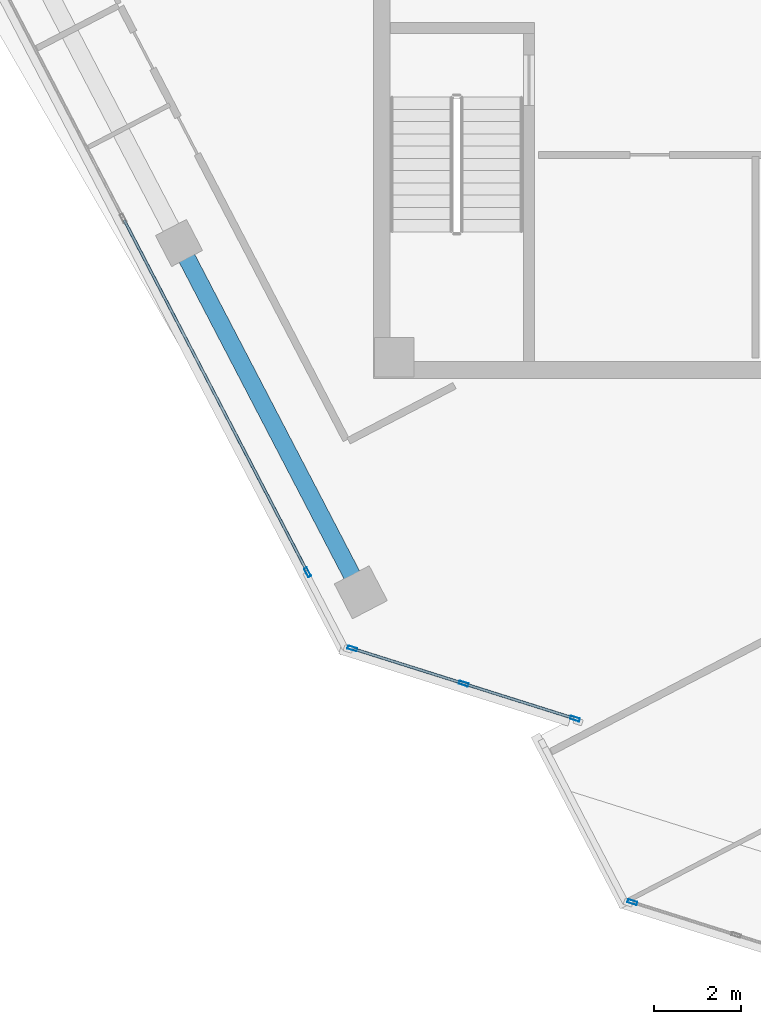
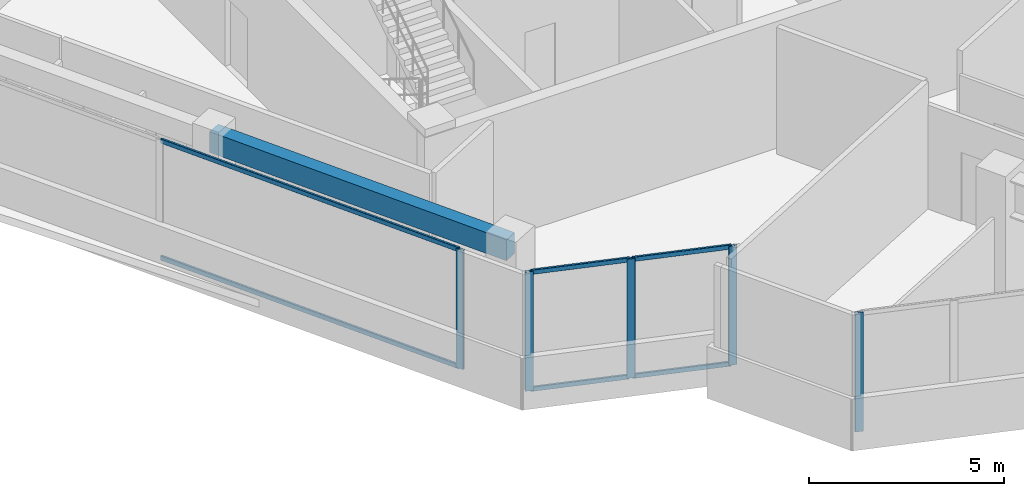
# One storey, part 2 of 16: 11 members, 1 beam, 3 elements without a shape of their own.
"""IFC4 building model written with IfcOpenShell, lengths in metres."""

from ifc_helpers import new_model, si_unit, direction, frame, origin, origin_2d, place, context, subcontext, project, spatial, rectangle, hollow_rectangle, extrude, source, transform, mapped, material, material_profile, profile_set, type_object, element, aggregate, save


model = new_model("IFC4")

# Units and contexts
model_context = context("Model", 3, precision=1e-05, world=origin(), true_north=direction((0.0, 1.0)))
body_context = subcontext(model_context, "Body", "Model", "MODEL_VIEW")
ifc_project = project(units=[si_unit("LENGTHUNIT", "METRE"), si_unit("AREAUNIT", "SQUARE_METRE"), si_unit("VOLUMEUNIT", "CUBIC_METRE"), si_unit("PLANEANGLEUNIT", "RADIAN"), si_unit("MASSUNIT", "GRAM", prefix="KILO")], contexts=[model_context])

# Site, building, storey
site_placement = place(None, origin())
site = spatial("IfcSite", under=ifc_project, at=site_placement, CompositionType="ELEMENT")
building_placement = place(site_placement, origin())
building = spatial("IfcBuilding", under=site, at=building_placement, Name="Torre Montelarca", CompositionType="ELEMENT")
storey_placement = place(building_placement, frame((0.0, 0.0, 328.199951171875)))
storey = spatial("IfcBuildingStorey", under=building, at=storey_placement, Name="L74", CompositionType="ELEMENT", Elevation=328.199951171875)

# Beam
ifc_material_1 = material(Name="Concrete C40/50", Category="concrete")
ifc_material_profile_1 = material_profile(ifc_material_1, rectangle(XDim=0.39990234375, YDim=0.64990234375, at=origin_2d()), Name="RCB400X650", Category="concrete")
ifc_profile_set_1 = profile_set([ifc_material_profile_1], Name="Concrete C40/50")
beam_type = type_object("IfcBeamType", Name="BM-SP-RC650-EXT", PredefinedType="SPANDREL", material=ifc_profile_set_1)
shared_shape_1 = source(origin(), body_context, "Body", "SweptSolid", [
    extrude(rectangle(XDim=0.39990234375, YDim=0.64990234375, at=origin_2d()), origin(), (0.0, 0.0, 1.0), 9.0),
])
beam_placement = place(storey_placement, frame((4.627197265625, 27.16259765625, 3.635009765625), z_axis=(0.461748143991, -0.887011077451, 0.0), x_axis=(0.887011077451, 0.461748143991, 0.0)))
element("IfcBeam", 1, at=beam_placement, inside=storey, type_object=beam_type, Name="L74 Grid Girder X 18.0-27.0 at Y=14.8", PredefinedType="SPANDREL", context=body_context, shape_type="MappedRepresentation", body=[
    mapped(shared_shape_1, transform((0.0, 0.0, 0.0), scale=1.0)),
])

# Curtain wall, members
ifc_material_2 = material(Name="Insulated low-E laminated glass", Category="glass")
curtain_wall_type = type_object("IfcCurtainWallType", Name="CW-SYS-Z4", PredefinedType="USERDEFINED", material=ifc_material_2)
curtain_wall_1_placement = place(storey_placement, origin())
curtain_wall_1 = element("IfcCurtainWall", 2, at=curtain_wall_1_placement, inside=storey, type_object=curtain_wall_type, Name="L74 Curtain Wall Run CW-T3-L74-E02-B1", ObjectType="UNITISED GLAZING", PredefinedType="USERDEFINED")
ifc_material_3 = material(Name="Anodised aluminium AA 6063-T6", Category="aluminium")
ifc_material_profile_2 = material_profile(ifc_material_3, hollow_rectangle(XDim=0.06494140625, YDim=0.139892578125, WallThickness=0.00390625, InnerFilletRadius=0.00390625, OuterFilletRadius=0.008056640625, at=origin_2d()), Name="ALU65X140X4", Category="aluminium")
ifc_profile_set_2 = profile_set([ifc_material_profile_2], Name="Anodised aluminium AA 6063-T6")
member_type_1 = type_object("IfcMemberType", Name="CWT-ALU140", PredefinedType="USERDEFINED", material=ifc_profile_set_2)
shared_shape_2 = source(origin(), body_context, "Body", "SweptSolid", [
    extrude(hollow_rectangle(XDim=0.06494140625, YDim=0.139892578125, WallThickness=0.00390625, InnerFilletRadius=0.00390625, OuterFilletRadius=0.008056640625, at=origin_2d()), origin(), (0.0, 0.0, 1.0), 2.59228515625),
])
member_1_placement = place(storey_placement, frame((11.170654296875, 17.080078125, 0.032470703125), z_axis=(0.953717783551, -0.300703158179, 0.0), x_axis=(0.300703158179, 0.953717783551, 0.0)))
member_1 = element("IfcMember", 3, at=member_1_placement, type_object=member_type_1, Name="CW transom 2.1", ObjectType="TRANSOM", PredefinedType="USERDEFINED", context=body_context, shape_type="MappedRepresentation", body=[
    mapped(shared_shape_2, transform((0.0, 0.0, 0.0), scale=1.0)),
])
member_2_placement = place(storey_placement, frame((11.170654296875, 17.080078125, 3.6875), z_axis=(0.953717783551, -0.300703158179, 0.0), x_axis=(0.300703158179, 0.953717783551, 0.0)))
member_2 = element("IfcMember", 4, at=member_2_placement, type_object=member_type_1, Name="CW transom 2.2", ObjectType="TRANSOM", PredefinedType="USERDEFINED", context=body_context, shape_type="MappedRepresentation", body=[
    mapped(shared_shape_2, transform((0.0, 0.0, 0.0), scale=1.0)),
])

# Curtain wall, member
curtain_wall_2_placement = place(storey_placement, origin())
curtain_wall_2 = element("IfcCurtainWall", 5, at=curtain_wall_2_placement, inside=storey, type_object=curtain_wall_type, Name="L74 Curtain Wall Run CW-T3-L74-E01-B1", ObjectType="UNITISED GLAZING", PredefinedType="USERDEFINED")
ifc_material_profile_3 = material_profile(ifc_material_3, hollow_rectangle(XDim=0.074951171875, YDim=0.219970703125, WallThickness=0.0048828125, InnerFilletRadius=0.0048828125, OuterFilletRadius=0.010009765625, at=origin_2d()), Name="ALU75X220X5", Category="aluminium")
ifc_profile_set_3 = profile_set([ifc_material_profile_3], Name="Anodised aluminium AA 6063-T6")
member_type_2 = type_object("IfcMemberType", Name="CWM-ALU220", PredefinedType="MULLION", material=ifc_profile_set_3)
shared_shape_3 = source(origin(), body_context, "Body", "SweptSolid", [
    extrude(hollow_rectangle(XDim=0.074951171875, YDim=0.219970703125, WallThickness=0.0048828125, InnerFilletRadius=0.0048828125, OuterFilletRadius=0.010009765625, at=origin_2d()), origin(), (0.0, 0.0, 1.0), 3.719970703125),
])
member_3_placement = place(storey_placement, frame((7.564697265625, 19.6357421875, 0.0), z_axis=(0.0, 0.0, 1.0), x_axis=(0.887011429119, 0.461747468442, 0.0)))
member_3 = element("IfcMember", 6, at=member_3_placement, type_object=member_type_2, Name="CW mullion 3", PredefinedType="MULLION", context=body_context, shape_type="MappedRepresentation", body=[
    mapped(shared_shape_3, transform((0.0, 0.0, 0.0), scale=1.0)),
])

# Member
member_4_placement = place(storey_placement, frame((8.5908203125, 17.893310546875, 0.0), z_axis=(0.0, 0.0, 1.0), x_axis=(0.300697870509, 0.953719450714, 0.0)))
member_4 = element("IfcMember", 7, at=member_4_placement, type_object=member_type_2, Name="CW mullion 1", PredefinedType="MULLION", context=body_context, shape_type="MappedRepresentation", body=[
    mapped(shared_shape_3, transform((0.0, 0.0, 0.0), scale=1.0)),
])

member_5_placement = place(storey_placement, frame((11.134765625, 17.09130859375, 0.0), z_axis=(0.0, 0.0, 1.0), x_axis=(0.300697870509, 0.953719450714, 0.0)))
member_5 = element("IfcMember", 8, at=member_5_placement, type_object=member_type_2, Name="CW mullion 2", PredefinedType="MULLION", context=body_context, shape_type="MappedRepresentation", body=[
    mapped(shared_shape_3, transform((0.0, 0.0, 0.0), scale=1.0)),
])

member_6_placement = place(storey_placement, frame((13.678955078125, 16.2890625, 0.0), z_axis=(0.0, 0.0, 1.0), x_axis=(0.300697870509, 0.953719450714, 0.0)))
member_6 = element("IfcMember", 9, at=member_6_placement, type_object=member_type_2, Name="CW mullion 3", PredefinedType="MULLION", context=body_context, shape_type="MappedRepresentation", body=[
    mapped(shared_shape_3, transform((0.0, 0.0, 0.0), scale=1.0)),
])

# Curtain wall, member
curtain_wall_3_placement = place(storey_placement, origin())
curtain_wall_3 = element("IfcCurtainWall", 10, at=curtain_wall_3_placement, inside=storey, type_object=curtain_wall_type, Name="L74 Curtain Wall Run CW-T3-L74-E05-B1", ObjectType="UNITISED GLAZING", PredefinedType="USERDEFINED")
member_7_placement = place(storey_placement, frame((14.991943359375, 12.093994140625, 0.0), z_axis=(0.0, 0.0, 1.0), x_axis=(0.300692834013, 0.953721038655, 0.0)))
member_7 = element("IfcMember", 11, at=member_7_placement, type_object=member_type_2, Name="CW mullion 1", PredefinedType="MULLION", context=body_context, shape_type="MappedRepresentation", body=[
    mapped(shared_shape_3, transform((0.0, 0.0, 0.0), scale=1.0)),
])
aggregate(curtain_wall_3, [member_7])

# Member
shared_shape_4 = source(origin(), body_context, "Body", "SweptSolid", [
    extrude(hollow_rectangle(XDim=0.06494140625, YDim=0.139892578125, WallThickness=0.00390625, InnerFilletRadius=0.00390625, OuterFilletRadius=0.008056640625, at=origin_2d()), origin(), (0.0, 0.0, 1.0), 2.592529296875),
])
member_8_placement = place(storey_placement, frame((8.62646484375, 17.882080078125, 0.032470703125), z_axis=(0.953726298, -0.300676152203, 0.0), x_axis=(0.300676152203, 0.953726298, 0.0)))
member_8 = element("IfcMember", 12, at=member_8_placement, type_object=member_type_1, Name="CW transom 1.1", ObjectType="TRANSOM", PredefinedType="USERDEFINED", context=body_context, shape_type="MappedRepresentation", body=[
    mapped(shared_shape_4, transform((0.0, 0.0, 0.0), scale=1.0)),
])

member_9_placement = place(storey_placement, frame((8.62646484375, 17.882080078125, 3.6875), z_axis=(0.953726298, -0.300676152203, 0.0), x_axis=(0.300676152203, 0.953726298, 0.0)))
member_9 = element("IfcMember", 13, at=member_9_placement, type_object=member_type_1, Name="CW transom 1.2", ObjectType="TRANSOM", PredefinedType="USERDEFINED", context=body_context, shape_type="MappedRepresentation", body=[
    mapped(shared_shape_4, transform((0.0, 0.0, 0.0), scale=1.0)),
])

aggregate(curtain_wall_1, [member_4, member_5, member_6, member_8, member_9, member_1, member_2])

shared_shape_5 = source(origin(), body_context, "Body", "SweptSolid", [
    extrude(hollow_rectangle(XDim=0.06494140625, YDim=0.139892578125, WallThickness=0.00390625, InnerFilletRadius=0.00390625, OuterFilletRadius=0.008056640625, at=origin_2d()), origin(), (0.0, 0.0, 1.0), 9.03955078125),
])
member_10_placement = place(storey_placement, frame((3.373291015625, 27.687255859375, 0.032470703125), z_axis=(0.461760022747, -0.887004893669, 0.0), x_axis=(0.887004893669, 0.461760022747, 0.0)))
member_10 = element("IfcMember", 14, at=member_10_placement, type_object=member_type_1, Name="CW transom 2.1", ObjectType="TRANSOM", PredefinedType="USERDEFINED", context=body_context, shape_type="MappedRepresentation", body=[
    mapped(shared_shape_5, transform((0.0, 0.0, 0.0), scale=1.0)),
])

member_11_placement = place(storey_placement, frame((3.373291015625, 27.687255859375, 3.6875), z_axis=(0.461760022747, -0.887004893669, 0.0), x_axis=(0.887004893669, 0.461760022747, 0.0)))
member_11 = element("IfcMember", 15, at=member_11_placement, type_object=member_type_1, Name="CW transom 2.2", ObjectType="TRANSOM", PredefinedType="USERDEFINED", context=body_context, shape_type="MappedRepresentation", body=[
    mapped(shared_shape_5, transform((0.0, 0.0, 0.0), scale=1.0)),
])

aggregate(curtain_wall_2, [member_3, member_10, member_11])

save(model, "model.ifc")
